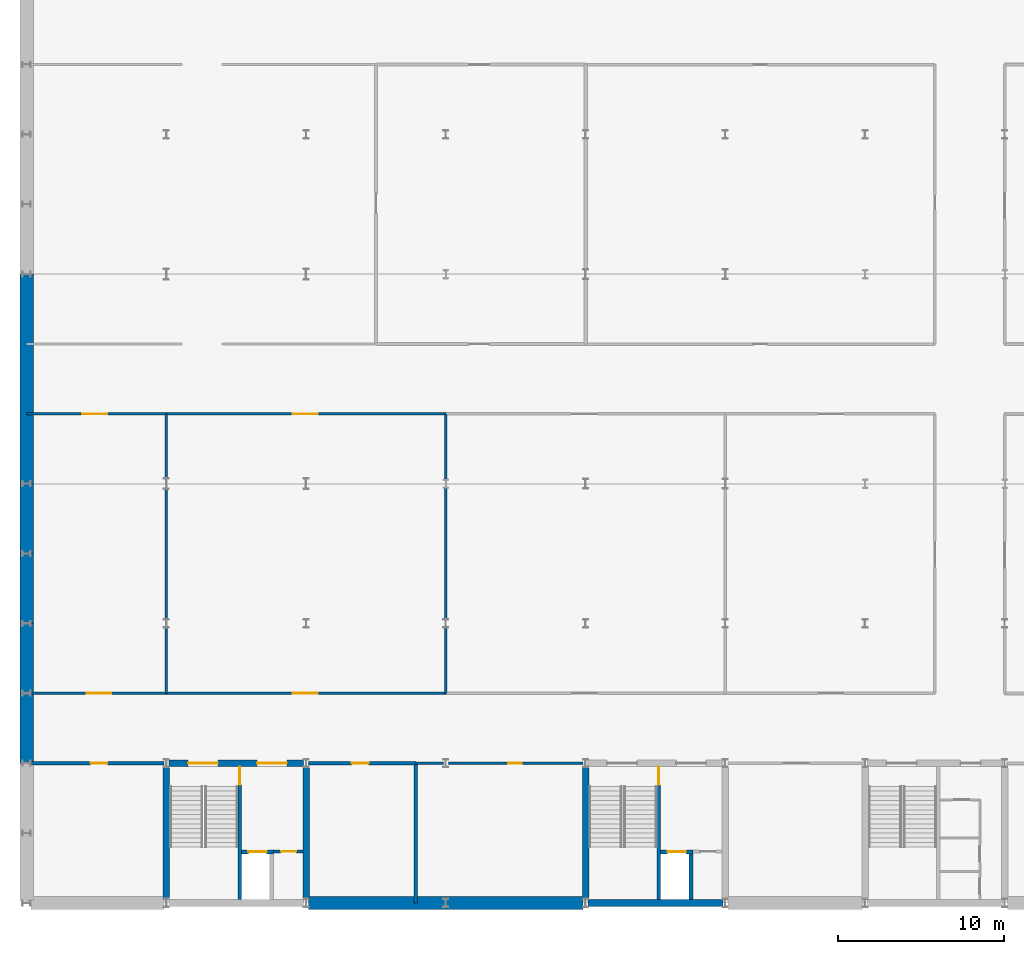
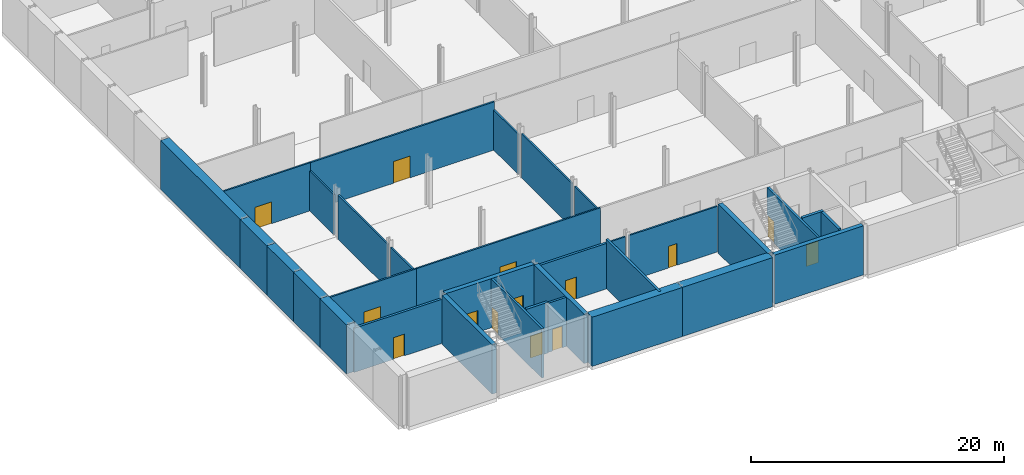
# One storey, part 10 of 20: 33 walls, 14 doors, 14 openings.
"""IFC4 building model written with IfcOpenShell, lengths in metres."""

from ifc_helpers import new_model, si_unit, direction, frame, frame_2d, origin, place, context, subcontext, project, spatial, rectangle, extrude, material, layer, layer_set, type_object, element, fill, save


model = new_model("IFC4")

# Units and contexts
model_context = context("Model", 3, precision=1e-05, world=origin(), true_north=direction((0.0, 1.0)))
body_context = subcontext(model_context, "Body", "Model", "MODEL_VIEW")
ifc_project = project(units=[si_unit("LENGTHUNIT", "METRE"), si_unit("AREAUNIT", "SQUARE_METRE"), si_unit("VOLUMEUNIT", "CUBIC_METRE"), si_unit("PLANEANGLEUNIT", "RADIAN"), si_unit("MASSUNIT", "GRAM", prefix="KILO")], contexts=[model_context])

# Site, building, storey
site_placement = place(None, origin())
site = spatial("IfcSite", under=ifc_project, at=site_placement, CompositionType="ELEMENT")
building_placement = place(site_placement, origin())
building = spatial("IfcBuilding", under=site, at=building_placement, Name="Galleria Vessillo Department Store", CompositionType="ELEMENT")
storey_placement = place(building_placement, frame((0.0, 0.0, -4.89990234375)))
storey = spatial("IfcBuildingStorey", under=building, at=storey_placement, Name="B1", CompositionType="ELEMENT", Elevation=-4.89990234375)

# Walls
ifc_material_1 = material(Name="Concrete C32/40 reinforced", Category="concrete")
ifc_layer_1 = layer(ifc_material_1, 0.800048828125)
ifc_layer_set_1 = layer_set([ifc_layer_1], Name="Concrete C32/40 reinforced")
wall_type_1 = type_object("IfcWallType", Name="Diaphragm wall 800 mm", PredefinedType="SOLIDWALL", material=ifc_layer_set_1)
wall_1_placement = place(storey_placement, frame((16.949951171875, 0.0, 0.0), z_axis=(0.0, 0.0, 1.0), x_axis=(1.0, 0.0, 0.0)))
element("IfcWall", 1, at=wall_1_placement, inside=storey, type_object=wall_type_1, Name="S-BW-S-B1-02", PredefinedType="SOLIDWALL", context=body_context, shape_type="SweptSolid", body=[
    extrude(rectangle(XDim=8.25, YDim=0.800048828125, at=frame_2d((4.125, 0.0))), origin(), (0.0, 0.0, 1.0), 4.75),
])
wall_2_placement = place(storey_placement, frame((25.199951171875, 0.0, 0.0), z_axis=(0.0, 0.0, 1.0), x_axis=(1.0, 0.0, 0.0)))
element("IfcWall", 2, at=wall_2_placement, inside=storey, type_object=wall_type_1, Name="S-BW-S-B1-03", PredefinedType="SOLIDWALL", context=body_context, shape_type="SweptSolid", body=[
    extrude(rectangle(XDim=8.250244140625, YDim=0.800048828125, at=frame_2d((4.125, 0.0))), origin(), (0.0, 0.0, 1.0), 4.75),
])
wall_3_placement = place(storey_placement, frame((0.0, 8.39990234375, 0.0), z_axis=(0.0, 0.0, 1.0), x_axis=(0.0, 1.0, 0.0)))
element("IfcWall", 3, at=wall_3_placement, inside=storey, type_object=wall_type_1, Name="S-BW-W-B1-03", PredefinedType="SOLIDWALL", context=body_context, shape_type="SweptSolid", body=[
    extrude(rectangle(XDim=4.2001953125, YDim=0.800048828125, at=frame_2d((2.10009765625, 0.0))), origin(), (0.0, 0.0, 1.0), 4.75),
])
for number, where, z_axis, x_axis, name in (
    (4, (0.0, 12.60009765625, 0.0), (0.0, 0.0, 1.0), (0.0, 1.0, 0.0), "S-BW-W-B1-04"),
    (5, (0.0, 16.800048828125, 0.0), (0.0, 0.0, 1.0), (0.0, 1.0, 0.0), "S-BW-W-B1-05"),
    (6, (0.0, 21.0, 0.0), (0.0, 0.0, 1.0), (0.0, 1.0, 0.0), "S-BW-W-B1-06"),
):
    element("IfcWall", number, at=place(storey_placement, frame(where, z_axis=z_axis, x_axis=x_axis)), inside=storey, type_object=wall_type_1, Name=name, PredefinedType="SOLIDWALL", context=body_context, shape_type="SweptSolid", body=[
        extrude(rectangle(XDim=4.199951171875, YDim=0.800048828125, at=frame_2d((2.10009765625, 0.0))), origin(), (0.0, 0.0, 1.0), 4.75),
    ])
wall_4_placement = place(storey_placement, frame((0.0, 25.199951171875, 0.0), z_axis=(0.0, 0.0, 1.0), x_axis=(0.0, 1.0, 0.0)))
element("IfcWall", 7, at=wall_4_placement, inside=storey, type_object=wall_type_1, Name="S-BW-W-B1-07", PredefinedType="SOLIDWALL", context=body_context, shape_type="SweptSolid", body=[
    extrude(rectangle(XDim=12.60009765625, YDim=0.800048828125, at=frame_2d((6.300048828125, 0.0))), origin(), (0.0, 0.0, 1.0), 4.75),
])

# Wall, opening, door
ifc_material_2 = material(Name="Solid clay block masonry", Category="masonry")
ifc_layer_2 = layer(ifc_material_2, 0.25)
ifc_layer_set_2 = layer_set([ifc_layer_2], Name="Solid clay block masonry")
wall_type_2 = type_object("IfcWallType", Name="Lift shaft wall 250 mm", PredefinedType="SOLIDWALL", material=ifc_layer_set_2)
wall_5_placement = place(storey_placement, frame((12.89990234375, 3.074951171875, 0.0), z_axis=(0.0, 0.0, 1.0), x_axis=(1.0, 0.0, 0.0)))
wall_5 = element("IfcWall", 8, at=wall_5_placement, inside=storey, type_object=wall_type_2, Name="Lift shaft wall LP1 landing side B1", PredefinedType="SOLIDWALL", context=body_context, shape_type="SweptSolid", body=[
    extrude(rectangle(XDim=1.9501953125, YDim=0.25, at=frame_2d((0.97509765625, 0.0))), origin(), (0.0, 0.0, 1.0), 4.89990234375),
])
opening_1_placement = place(wall_5_placement, frame((0.425048828125, 0.0, 0.0)))
opening_1 = element("IfcOpeningElement", 9, at=opening_1_placement, cuts=wall_5, Name="Opening LD002", PredefinedType="OPENING", context=body_context, shape_type="SweptSolid", body=[
    extrude(rectangle(XDim=1.10009765625, YDim=2.10009765625, at=frame_2d((0.550048828125, 1.050048828125))), frame((0.0, 0.135009765625, 0.0), z_axis=(0.0, -1.0, 0.0), x_axis=(1.0, 0.0, 0.0)), (0.0, 0.0, 1.0), 0.27001953125),
])
ifc_material_3 = material(Name="Stainless steel lift door panel", Category="steel")
door_type_1 = type_object("IfcDoorType", Name="Lift landing door LD110 sliding 1100 x 2100", OperationType="SLIDING_TO_LEFT", PredefinedType="DOOR", material=ifc_material_3)
door_1_placement = place(opening_1_placement, origin())
door_1 = element("IfcDoor", 10, at=door_1_placement, inside=storey, type_object=door_type_1, Name="Lift landing door LP1 B1", OperationType="SLIDING_TO_LEFT", OverallHeight=2.10009765625, OverallWidth=1.10009765625, PredefinedType="DOOR", context=body_context, shape_type="SweptSolid", body=[
    extrude(rectangle(XDim=1.10009765625, YDim=2.10009765625, at=frame_2d((0.550048828125, 1.050048828125))), frame((0.0, 0.02490234375, 0.0), z_axis=(0.0, -1.0, 0.0), x_axis=(1.0, 0.0, 0.0)), (0.0, 0.0, 1.0), 0.050048828125),
])
fill(opening_1, door_1)

wall_6_placement = place(storey_placement, frame((38.10009765625, 3.074951171875, 0.0), z_axis=(0.0, 0.0, 1.0), x_axis=(1.0, 0.0, 0.0)))
wall_6 = element("IfcWall", 11, at=wall_6_placement, inside=storey, type_object=wall_type_2, Name="Lift shaft wall LP3 landing side B1", PredefinedType="SOLIDWALL", context=body_context, shape_type="SweptSolid", body=[
    extrude(rectangle(XDim=1.949951171875, YDim=0.25, at=frame_2d((0.97509765625, 0.0))), origin(), (0.0, 0.0, 1.0), 4.89990234375),
])
opening_2_placement = place(wall_6_placement, frame((0.4248046875, 0.0, 0.0)))
opening_2 = element("IfcOpeningElement", 12, at=opening_2_placement, cuts=wall_6, Name="Opening LD018", PredefinedType="OPENING", context=body_context, shape_type="SweptSolid", body=[
    extrude(rectangle(XDim=1.10009765625, YDim=2.10009765625, at=frame_2d((0.550048828125, 1.050048828125))), frame((0.0, 0.135009765625, 0.0), z_axis=(0.0, -1.0, 0.0), x_axis=(1.0, 0.0, 0.0)), (0.0, 0.0, 1.0), 0.27001953125),
])
door_2_placement = place(opening_2_placement, origin())
door_2 = element("IfcDoor", 13, at=door_2_placement, inside=storey, type_object=door_type_1, Name="Lift landing door LP3 B1", OperationType="SLIDING_TO_LEFT", OverallHeight=2.10009765625, OverallWidth=1.10009765625, PredefinedType="DOOR", context=body_context, shape_type="SweptSolid", body=[
    extrude(rectangle(XDim=1.10009765625, YDim=2.10009765625, at=frame_2d((0.550048828125, 1.050048828125))), frame((0.0, 0.02490234375, 0.0), z_axis=(0.0, -1.0, 0.0), x_axis=(1.0, 0.0, 0.0)), (0.0, 0.0, 1.0), 0.050048828125),
])
fill(opening_2, door_2)

# Wall
wall_7_placement = place(storey_placement, frame((39.925048828125, 0.199951171875, 0.0), z_axis=(0.0, 0.0, 1.0), x_axis=(0.0, 1.0, 0.0)))
element("IfcWall", 14, at=wall_7_placement, inside=storey, type_object=wall_type_2, Name="Lift shaft wall LP3 B1", PredefinedType="SOLIDWALL", context=body_context, shape_type="SweptSolid", body=[
    extrude(rectangle(XDim=2.75, YDim=0.25, at=frame_2d((1.375, 0.0))), origin(), (0.0, 0.0, 1.0), 4.89990234375),
])

# Wall, openings, doors
ifc_material_4 = material(Name="Concrete C32/40 reinforced", Category="concrete")
ifc_layer_3 = layer(ifc_material_4, 0.39990234375)
ifc_layer_set_3 = layer_set([ifc_layer_3], Name="Concrete C32/40 reinforced")
wall_type_3 = type_object("IfcWallType", Name="Reinforced concrete core wall 400 mm", PredefinedType="SHEAR", material=ifc_layer_set_3)
wall_8_placement = place(storey_placement, frame((8.5498046875, 8.39990234375, 0.0), z_axis=(0.0, 0.0, 1.0), x_axis=(1.0, 0.0, 0.0)))
wall_8 = element("IfcWall", 15, at=wall_8_placement, inside=storey, type_object=wall_type_3, Name="S-CW-PC-SW-INTERIOR-B1", PredefinedType="SHEAR", context=body_context, shape_type="SweptSolid", body=[
    extrude(rectangle(XDim=8.100341796875, YDim=0.39990234375, at=frame_2d((4.05029296875, 0.0))), origin(), (0.0, 0.0, 1.0), 4.75),
])
opening_3_placement = place(wall_8_placement, frame((1.150146484375, 0.0, 0.0)))
opening_3 = element("IfcOpeningElement", 16, at=opening_3_placement, cuts=wall_8, Name="Opening D5007", PredefinedType="OPENING", context=body_context, shape_type="SweptSolid", body=[
    extrude(rectangle(XDim=1.800048828125, YDim=2.10009765625, at=frame_2d((0.89990234375, 1.050048828125))), frame((0.0, 0.2099609375, 0.0), z_axis=(0.0, -1.0, 0.0), x_axis=(1.0, 0.0, 0.0)), (0.0, 0.0, 1.0), 0.419921875),
])
opening_4_placement = place(wall_8_placement, frame((5.300048828125, 0.0, 0.0)))
opening_4 = element("IfcOpeningElement", 17, at=opening_4_placement, cuts=wall_8, Name="Opening D5008", PredefinedType="OPENING", context=body_context, shape_type="SweptSolid", body=[
    extrude(rectangle(XDim=1.800048828125, YDim=2.10009765625, at=frame_2d((0.89990234375, 1.050048828125))), frame((0.0, 0.2099609375, 0.0), z_axis=(0.0, -1.0, 0.0), x_axis=(1.0, 0.0, 0.0)), (0.0, 0.0, 1.0), 0.419921875),
])
ifc_material_5 = material(Name="Fire-rated steel door leaf", Category="steel")
door_type_2 = type_object("IfcDoorType", Name="Door D180F double leaf 1800 x 2100", OperationType="DOUBLE_DOOR_SINGLE_SWING", PredefinedType="DOOR", material=ifc_material_5)
door_3_placement = place(opening_3_placement, frame((1.800048828125, 0.0, 0.0), z_axis=(0.0, 0.0, 1.0), x_axis=(-1.0, 0.0, 0.0)))
door_3 = element("IfcDoor", 18, at=door_3_placement, inside=storey, type_object=door_type_2, Name="Lobby door PC-SW-ST-FLOOR B1", OperationType="DOUBLE_DOOR_SINGLE_SWING", OverallHeight=2.10009765625, OverallWidth=1.800048828125, PredefinedType="DOOR", context=body_context, shape_type="SweptSolid", body=[
    extrude(rectangle(XDim=1.800048828125, YDim=2.10009765625, at=frame_2d((0.89990234375, 1.050048828125))), frame((0.0, 0.02490234375, 0.0), z_axis=(0.0, -1.0, 0.0), x_axis=(1.0, 0.0, 0.0)), (0.0, 0.0, 1.0), 0.050048828125),
])
fill(opening_3, door_3)
door_4_placement = place(opening_4_placement, origin())
door_4 = element("IfcDoor", 19, at=door_4_placement, inside=storey, type_object=door_type_2, Name="Lobby door PC-SW-LOBBY-FLOOR B1", OperationType="DOUBLE_DOOR_SINGLE_SWING", OverallHeight=2.10009765625, OverallWidth=1.800048828125, PredefinedType="DOOR", context=body_context, shape_type="SweptSolid", body=[
    extrude(rectangle(XDim=1.800048828125, YDim=2.10009765625, at=frame_2d((0.89990234375, 1.050048828125))), frame((0.0, 0.02490234375, 0.0), z_axis=(0.0, -1.0, 0.0), x_axis=(1.0, 0.0, 0.0)), (0.0, 0.0, 1.0), 0.050048828125),
])
fill(opening_4, door_4)

# Walls
for number, where, z_axis, x_axis, name in (
    (20, (16.800048828125, 0.25, 0.0), (0.0, 0.0, 1.0), (0.0, 1.0, 0.0), "S-CW-PC-SW-EAST-B1"),
    (21, (33.60009765625, 0.25, 0.0), (0.0, 0.0, 1.0), (0.0, 1.0, 0.0), "S-CW-PC-SM-WEST-B1"),
):
    element("IfcWall", number, at=place(storey_placement, frame(where, z_axis=z_axis, x_axis=x_axis)), inside=storey, type_object=wall_type_3, Name=name, PredefinedType="SHEAR", context=body_context, shape_type="SweptSolid", body=[
        extrude(rectangle(XDim=7.89990234375, YDim=0.39990234375, at=frame_2d((3.949951171875, 0.0))), origin(), (0.0, 0.0, 1.0), 4.75),
    ])
ifc_material_6 = material(Name="Concrete C32/40 reinforced", Category="concrete")
ifc_layer_4 = layer(ifc_material_6, 0.39990234375)
ifc_layer_set_4 = layer_set([ifc_layer_4], Name="Concrete C32/40 reinforced")
wall_type_4 = type_object("IfcWallType", Name="Reinforced concrete core wall 400 mm, external", PredefinedType="SHEAR", material=ifc_layer_set_4)
wall_9_placement = place(storey_placement, frame((8.39990234375, 0.25, 0.0), z_axis=(0.0, 0.0, 1.0), x_axis=(0.0, 1.0, 0.0)))
element("IfcWall", 22, at=wall_9_placement, inside=storey, type_object=wall_type_4, Name="S-CW-PC-SW-WEST-B1", PredefinedType="SHEAR", context=body_context, shape_type="SweptSolid", body=[
    extrude(rectangle(XDim=7.89990234375, YDim=0.39990234375, at=frame_2d((3.949951171875, 0.0))), origin(), (0.0, 0.0, 1.0), 4.75),
])
wall_10_placement = place(storey_placement, frame((33.75, 0.0, 0.0), z_axis=(0.0, 0.0, 1.0), x_axis=(1.0, 0.0, 0.0)))
element("IfcWall", 23, at=wall_10_placement, inside=storey, type_object=wall_type_4, Name="S-CW-PC-SM-PARTY-B1", PredefinedType="SHEAR", context=body_context, shape_type="SweptSolid", body=[
    extrude(rectangle(XDim=8.10009765625, YDim=0.39990234375, at=frame_2d((4.050048828125, 0.0))), origin(), (0.0, 0.0, 1.0), 4.75),
])

# Wall, opening, door
ifc_material_7 = material(Name="Concrete C32/40 reinforced", Category="concrete")
ifc_layer_5 = layer(ifc_material_7, 0.199951171875)
ifc_layer_set_5 = layer_set([ifc_layer_5], Name="Concrete C32/40 reinforced")
wall_type_5 = type_object("IfcWallType", Name="Reinforced concrete stair enclosure wall 200 mm", PredefinedType="SHEAR", material=ifc_layer_set_5)
wall_11_placement = place(storey_placement, frame((12.7998046875, 0.199951171875, 0.0), z_axis=(0.0, 0.0, 1.0), x_axis=(0.0, 1.0, 0.0)))
wall_11 = element("IfcWall", 24, at=wall_11_placement, inside=storey, type_object=wall_type_5, Name="Stair enclosure wall PC-SW B1", PredefinedType="SHEAR", context=body_context, shape_type="SweptSolid", body=[
    extrude(rectangle(XDim=8.0, YDim=0.199951171875, at=frame_2d((4.0, 0.0))), origin(), (0.0, 0.0, 1.0), 4.75),
])
opening_5_placement = place(wall_11_placement, frame((6.89990234375, 0.0, 0.0)))
opening_5 = element("IfcOpeningElement", 25, at=opening_5_placement, cuts=wall_11, Name="Opening D5005", PredefinedType="OPENING", context=body_context, shape_type="SweptSolid", body=[
    extrude(rectangle(XDim=1.11009765625, YDim=2.10009765625, at=frame_2d((0.554931640625, 1.050048828125))), frame((0.0, 0.10986328125, 0.0), z_axis=(0.0, -1.0, 0.0), x_axis=(1.0, 0.0, 0.0)), (0.0, 0.0, 1.0), 0.219970703125),
])
ifc_material_8 = material(Name="Fire-rated steel door leaf", Category="steel")
door_type_3 = type_object("IfcDoorType", Name="Door D110F stair door 1100 x 2100", OperationType="SINGLE_SWING_LEFT", PredefinedType="DOOR", material=ifc_material_8)
door_5_placement = place(opening_5_placement, origin())
door_5 = element("IfcDoor", 26, at=door_5_placement, inside=storey, type_object=door_type_3, Name="Stair door PC-SW-ST-LOBBY B1", OperationType="SINGLE_SWING_RIGHT", OverallHeight=2.10009765625, OverallWidth=1.10009765625, PredefinedType="DOOR", context=body_context, shape_type="SweptSolid", body=[
    extrude(rectangle(XDim=1.10009765625, YDim=2.10009765625, at=frame_2d((0.550048828125, 1.050048828125))), frame((0.0, 0.02490234375, 0.0), z_axis=(0.0, -1.0, 0.0), x_axis=(1.0, 0.0, 0.0)), (0.0, 0.0, 1.0), 0.050048828125),
])
fill(opening_5, door_5)

wall_12_placement = place(storey_placement, frame((38.0, 0.199951171875, 0.0), z_axis=(0.0, 0.0, 1.0), x_axis=(0.0, 1.0, 0.0)))
wall_12 = element("IfcWall", 27, at=wall_12_placement, inside=storey, type_object=wall_type_5, Name="Stair enclosure wall PC-SM B1", PredefinedType="SHEAR", context=body_context, shape_type="SweptSolid", body=[
    extrude(rectangle(XDim=8.0, YDim=0.199951171875, at=frame_2d((4.0, 0.0))), origin(), (0.0, 0.0, 1.0), 4.75),
])
opening_6_placement = place(wall_12_placement, frame((6.89990234375, 0.0, 0.0)))
opening_6 = element("IfcOpeningElement", 28, at=opening_6_placement, cuts=wall_12, Name="Opening D5069", PredefinedType="OPENING", context=body_context, shape_type="SweptSolid", body=[
    extrude(rectangle(XDim=1.11009765625, YDim=2.10009765625, at=frame_2d((0.554931640625, 1.050048828125))), frame((0.0, 0.10986328125, 0.0), z_axis=(0.0, -1.0, 0.0), x_axis=(1.0, 0.0, 0.0)), (0.0, 0.0, 1.0), 0.219970703125),
])
door_6_placement = place(opening_6_placement, origin())
door_6 = element("IfcDoor", 29, at=door_6_placement, inside=storey, type_object=door_type_3, Name="Stair door PC-SM-ST-LOBBY B1", OperationType="SINGLE_SWING_RIGHT", OverallHeight=2.10009765625, OverallWidth=1.10009765625, PredefinedType="DOOR", context=body_context, shape_type="SweptSolid", body=[
    extrude(rectangle(XDim=1.10009765625, YDim=2.10009765625, at=frame_2d((0.550048828125, 1.050048828125))), frame((0.0, 0.02490234375, 0.0), z_axis=(0.0, -1.0, 0.0), x_axis=(1.0, 0.0, 0.0)), (0.0, 0.0, 1.0), 0.050048828125),
])
fill(opening_6, door_6)

ifc_material_9 = material(Name="Hollow clay block masonry", Category="masonry")
ifc_layer_6 = layer(ifc_material_9, 0.199951171875)
ifc_layer_set_6 = layer_set([ifc_layer_6], Name="Hollow clay block masonry")
wall_type_6 = type_object("IfcWallType", Name="Riser and service room wall 200 mm", PredefinedType="PARTITIONING", material=ifc_layer_set_6)
wall_13_placement = place(storey_placement, frame((14.85009765625, 3.099853515625, 0.0), z_axis=(0.0, 0.0, 1.0), x_axis=(1.0, 0.0, 0.0)))
wall_13 = element("IfcWall", 30, at=wall_13_placement, inside=storey, type_object=wall_type_6, Name="Riser wall PC-SW-RISER B1", PredefinedType="PARTITIONING", context=body_context, shape_type="SweptSolid", body=[
    extrude(rectangle(XDim=1.75, YDim=0.199951171875, at=frame_2d((0.875, 0.0))), origin(), (0.0, 0.0, 1.0), 4.75),
])
opening_7_placement = place(wall_13_placement, frame((0.449951171875, 0.0, 0.0)))
opening_7 = element("IfcOpeningElement", 31, at=opening_7_placement, cuts=wall_13, Name="Opening D5006", PredefinedType="OPENING", context=body_context, shape_type="SweptSolid", body=[
    extrude(rectangle(XDim=0.89990234375, YDim=2.10009765625, at=frame_2d((0.449951171875, 1.050048828125))), frame((0.0, 0.10986328125, 0.0), z_axis=(0.0, -1.0, 0.0), x_axis=(1.0, 0.0, 0.0)), (0.0, 0.0, 1.0), 0.219970703125),
])
ifc_material_10 = material(Name="Fire-rated steel door leaf", Category="steel")
door_type_4 = type_object("IfcDoorType", Name="Door DR90 riser access 900 x 2100", OperationType="SINGLE_SWING_LEFT", PredefinedType="DOOR", material=ifc_material_10)
door_7_placement = place(opening_7_placement, frame((0.89990234375, 0.0, 0.0), z_axis=(0.0, 0.0, 1.0), x_axis=(-1.0, 0.0, 0.0)))
door_7 = element("IfcDoor", 32, at=door_7_placement, inside=storey, type_object=door_type_4, Name="Riser door PC-SW-RISER-D B1", OperationType="SINGLE_SWING_LEFT", OverallHeight=2.10009765625, OverallWidth=0.89990234375, PredefinedType="DOOR", context=body_context, shape_type="SweptSolid", body=[
    extrude(rectangle(XDim=0.89990234375, YDim=2.10009765625, at=frame_2d((0.449951171875, 1.050048828125))), frame((0.0, 0.02490234375, 0.0), z_axis=(0.0, -1.0, 0.0), x_axis=(1.0, 0.0, 0.0)), (0.0, 0.0, 1.0), 0.050048828125),
])
fill(opening_7, door_7)

ifc_material_11 = material(Name="Concrete blockwork", Category="masonry")
ifc_layer_7 = layer(ifc_material_11, 0.215087890625)
ifc_layer_set_7 = layer_set([ifc_layer_7], Name="Concrete blockwork")
wall_type_7 = type_object("IfcWallType", Name="Security room blockwork wall 215 mm", PredefinedType="SOLIDWALL", material=ifc_layer_set_7)
wall_14_placement = place(storey_placement, frame((0.25, 8.39990234375, 0.0), z_axis=(0.0, 0.0, 1.0), x_axis=(1.0, 0.0, 0.0)))
wall_14 = element("IfcWall", 33, at=wall_14_placement, inside=storey, type_object=wall_type_7, Name="Partition wall PT9 on B1 no. 013", PredefinedType="SOLIDWALL", context=body_context, shape_type="SweptSolid", body=[
    extrude(rectangle(XDim=8.0, YDim=0.215087890625, at=frame_2d((4.0, 0.0))), origin(), (0.0, 0.0, 1.0), 4.259765625),
])
opening_8_placement = place(wall_14_placement, frame((3.60009765625, 0.0, 0.0)))
opening_8 = element("IfcOpeningElement", 34, at=opening_8_placement, cuts=wall_14, Name="Opening D2107", PredefinedType="OPENING", context=body_context, shape_type="SweptSolid", body=[
    extrude(rectangle(XDim=1.0, YDim=2.10009765625, at=frame_2d((0.5, 1.050048828125))), frame((0.0, 0.11767578125, 0.0), z_axis=(0.0, -1.0, 0.0), x_axis=(1.0, 0.0, 0.0)), (0.0, 0.0, 1.0), 0.235107421875),
])
ifc_material_12 = material(Name="Steel fire door leaf", Category="steel")
door_type_5 = type_object("IfcDoorType", Name="Fire door 1000 single leaf", OperationType="SINGLE_SWING_LEFT", PredefinedType="DOOR", material=ifc_material_12)
door_8_placement = place(opening_8_placement, frame((1.0, 0.0, 0.0), z_axis=(0.0, 0.0, 1.0), x_axis=(-1.0, 0.0, 0.0)))
door_8 = element("IfcDoor", 35, at=door_8_placement, inside=storey, type_object=door_type_5, Name="Door D2107", OperationType="SINGLE_SWING_RIGHT", OverallHeight=2.10009765625, OverallWidth=1.0, PredefinedType="DOOR", context=body_context, shape_type="SweptSolid", body=[
    extrude(rectangle(XDim=1.0, YDim=2.10009765625, at=frame_2d((0.5, 1.050048828125))), frame((0.0, 0.02490234375, 0.0), z_axis=(0.0, -1.0, 0.0), x_axis=(1.0, 0.0, 0.0)), (0.0, 0.0, 1.0), 0.050048828125),
])
fill(opening_8, door_8)

wall_15_placement = place(storey_placement, frame((16.949951171875, 8.39990234375, 0.0), z_axis=(0.0, 0.0, 1.0), x_axis=(1.0, 0.0, 0.0)))
wall_15 = element("IfcWall", 36, at=wall_15_placement, inside=storey, type_object=wall_type_7, Name="Partition wall PT9 on B1 no. 014", PredefinedType="SOLIDWALL", context=body_context, shape_type="SweptSolid", body=[
    extrude(rectangle(XDim=6.449951171875, YDim=0.215087890625, at=frame_2d((3.22509765625, 0.0))), origin(), (0.0, 0.0, 1.0), 4.39990234375),
])
opening_9_placement = place(wall_15_placement, frame((2.60009765625, 0.0, 0.0)))
opening_9 = element("IfcOpeningElement", 37, at=opening_9_placement, cuts=wall_15, Name="Opening D2108", PredefinedType="OPENING", context=body_context, shape_type="SweptSolid", body=[
    extrude(rectangle(XDim=1.0, YDim=2.10009765625, at=frame_2d((0.5, 1.050048828125))), frame((0.0, 0.11767578125, 0.0), z_axis=(0.0, -1.0, 0.0), x_axis=(1.0, 0.0, 0.0)), (0.0, 0.0, 1.0), 0.235107421875),
])
door_9_placement = place(opening_9_placement, frame((1.0, 0.0, 0.0), z_axis=(0.0, 0.0, 1.0), x_axis=(-1.0, 0.0, 0.0)))
door_9 = element("IfcDoor", 38, at=door_9_placement, inside=storey, type_object=door_type_5, Name="Door D2108", OperationType="SINGLE_SWING_LEFT", OverallHeight=2.10009765625, OverallWidth=1.0, PredefinedType="DOOR", context=body_context, shape_type="SweptSolid", body=[
    extrude(rectangle(XDim=1.0, YDim=2.10009765625, at=frame_2d((0.5, 1.050048828125))), frame((0.0, 0.02490234375, 0.0), z_axis=(0.0, -1.0, 0.0), x_axis=(1.0, 0.0, 0.0)), (0.0, 0.0, 1.0), 0.050048828125),
])
fill(opening_9, door_9)

# Walls
wall_16_placement = place(storey_placement, frame((23.39990234375, 0.0, 0.0), z_axis=(0.0, 0.0, 1.0), x_axis=(0.0, 1.0, 0.0)))
element("IfcWall", 39, at=wall_16_placement, inside=storey, type_object=wall_type_7, Name="Partition wall PT9 on B1 no. 073", PredefinedType="SOLIDWALL", context=body_context, shape_type="SweptSolid", body=[
    extrude(rectangle(XDim=8.39990234375, YDim=0.215087890625, at=frame_2d((4.199951171875, 0.0))), origin(), (0.0, 0.0, 1.0), 4.75),
])
ifc_material_13 = material(Name="Concrete blockwork", Category="masonry")
ifc_layer_8 = layer(ifc_material_13, 0.14990234375)
ifc_layer_set_8 = layer_set([ifc_layer_8], Name="Concrete blockwork")
wall_type_8 = type_object("IfcWallType", Name="Stockroom blockwork wall 150 mm", PredefinedType="SOLIDWALL", material=ifc_layer_set_8)
wall_17_placement = place(storey_placement, frame((23.39990234375, 8.39990234375, 0.0), z_axis=(0.0, 0.0, 1.0), x_axis=(1.0, 0.0, 0.0)))
element("IfcWall", 40, at=wall_17_placement, inside=storey, type_object=wall_type_8, Name="Partition wall PT4 on B1 no. 015", PredefinedType="SOLIDWALL", context=body_context, shape_type="SweptSolid", body=[
    extrude(rectangle(XDim=1.650146484375, YDim=0.14990234375, at=frame_2d((0.8251953125, 0.0))), origin(), (0.0, 0.0, 1.0), 4.39990234375),
])

# Wall, opening, door
wall_18_placement = place(storey_placement, frame((25.349853515625, 8.39990234375, 0.0), z_axis=(0.0, 0.0, 1.0), x_axis=(1.0, 0.0, 0.0)))
wall_18 = element("IfcWall", 41, at=wall_18_placement, inside=storey, type_object=wall_type_8, Name="Partition wall PT4 on B1 no. 016", PredefinedType="SOLIDWALL", context=body_context, shape_type="SweptSolid", body=[
    extrude(rectangle(XDim=8.100341796875, YDim=0.14990234375, at=frame_2d((4.05029296875, 0.0))), origin(), (0.0, 0.0, 1.0), 4.39990234375),
])
opening_10_placement = place(wall_18_placement, frame((3.60009765625, 0.0, 0.0)))
opening_10 = element("IfcOpeningElement", 42, at=opening_10_placement, cuts=wall_18, Name="Opening D2109", PredefinedType="OPENING", context=body_context, shape_type="SweptSolid", body=[
    extrude(rectangle(XDim=0.800048828125, YDim=2.10009765625, at=frame_2d((0.39990234375, 1.050048828125))), frame((0.0, 0.0849609375, 0.0), z_axis=(0.0, -1.0, 0.0), x_axis=(1.0, 0.0, 0.0)), (0.0, 0.0, 1.0), 0.169921875),
])
ifc_material_14 = material(Name="Steel fire door leaf", Category="steel")
door_type_6 = type_object("IfcDoorType", Name="Fire door 800 staff door", OperationType="SINGLE_SWING_LEFT", PredefinedType="DOOR", material=ifc_material_14)
door_10_placement = place(opening_10_placement, origin())
door_10 = element("IfcDoor", 43, at=door_10_placement, inside=storey, type_object=door_type_6, Name="Door D2109", OperationType="SINGLE_SWING_LEFT", OverallHeight=2.10009765625, OverallWidth=0.800048828125, PredefinedType="DOOR", context=body_context, shape_type="SweptSolid", body=[
    extrude(rectangle(XDim=0.800048828125, YDim=2.10009765625, at=frame_2d((0.39990234375, 1.050048828125))), frame((0.0, 0.02490234375, 0.0), z_axis=(0.0, -1.0, 0.0), x_axis=(1.0, 0.0, 0.0)), (0.0, 0.0, 1.0), 0.050048828125),
])
fill(opening_10, door_10)

wall_19_placement = place(storey_placement, frame((0.25, 12.60009765625, 0.0), z_axis=(0.0, 0.0, 1.0), x_axis=(1.0, 0.0, 0.0)))
wall_19 = element("IfcWall", 44, at=wall_19_placement, inside=storey, type_object=wall_type_8, Name="Partition wall PT4 on B1 no. 023", PredefinedType="SOLIDWALL", context=body_context, shape_type="SweptSolid", body=[
    extrude(rectangle(XDim=8.14990234375, YDim=0.14990234375, at=frame_2d((4.074951171875, 0.0))), origin(), (0.0, 0.0, 1.0), 4.599853515625),
])
opening_11_placement = place(wall_19_placement, frame((3.35009765625, 0.0, 0.0)))
opening_11 = element("IfcOpeningElement", 45, at=opening_11_placement, cuts=wall_19, Name="Opening D2115", PredefinedType="OPENING", context=body_context, shape_type="SweptSolid", body=[
    extrude(rectangle(XDim=1.5, YDim=2.10009765625, at=frame_2d((0.75, 1.050048828125))), frame((0.0, 0.0849609375, 0.0), z_axis=(0.0, -1.0, 0.0), x_axis=(1.0, 0.0, 0.0)), (0.0, 0.0, 1.0), 0.169921875),
])
ifc_material_15 = material(Name="Steel fire door leaf", Category="steel")
door_type_7 = type_object("IfcDoorType", Name="Stockroom fire door 1500 double leaf", OperationType="DOUBLE_DOOR_SINGLE_SWING", PredefinedType="DOOR", material=ifc_material_15)
door_11_placement = place(opening_11_placement, origin())
door_11 = element("IfcDoor", 46, at=door_11_placement, inside=storey, type_object=door_type_7, Name="Door D2115", OperationType="DOUBLE_DOOR_SINGLE_SWING", OverallHeight=2.10009765625, OverallWidth=1.5, PredefinedType="DOOR", context=body_context, shape_type="SweptSolid", body=[
    extrude(rectangle(XDim=1.5, YDim=2.10009765625, at=frame_2d((0.75, 1.050048828125))), frame((0.0, 0.02490234375, 0.0), z_axis=(0.0, -1.0, 0.0), x_axis=(1.0, 0.0, 0.0)), (0.0, 0.0, 1.0), 0.050048828125),
])
fill(opening_11, door_11)

wall_20_placement = place(storey_placement, frame((8.39990234375, 12.60009765625, 0.0), z_axis=(0.0, 0.0, 1.0), x_axis=(1.0, 0.0, 0.0)))
wall_20 = element("IfcWall", 47, at=wall_20_placement, inside=storey, type_object=wall_type_8, Name="Partition wall PT4 on B1 no. 024", PredefinedType="SOLIDWALL", context=body_context, shape_type="SweptSolid", body=[
    extrude(rectangle(XDim=16.800048828125, YDim=0.14990234375, at=frame_2d((8.39990234375, 0.0))), origin(), (0.0, 0.0, 1.0), 4.599853515625),
])
opening_12_placement = place(wall_20_placement, frame((7.60009765625, 0.0, 0.0)))
opening_12 = element("IfcOpeningElement", 48, at=opening_12_placement, cuts=wall_20, Name="Opening D2116", PredefinedType="OPENING", context=body_context, shape_type="SweptSolid", body=[
    extrude(rectangle(XDim=1.5, YDim=2.10009765625, at=frame_2d((0.75, 1.050048828125))), frame((0.0, 0.0849609375, 0.0), z_axis=(0.0, -1.0, 0.0), x_axis=(1.0, 0.0, 0.0)), (0.0, 0.0, 1.0), 0.169921875),
])
door_12_placement = place(opening_12_placement, origin())
door_12 = element("IfcDoor", 49, at=door_12_placement, inside=storey, type_object=door_type_7, Name="Door D2116", OperationType="DOUBLE_DOOR_SINGLE_SWING", OverallHeight=2.10009765625, OverallWidth=1.5, PredefinedType="DOOR", context=body_context, shape_type="SweptSolid", body=[
    extrude(rectangle(XDim=1.5, YDim=2.10009765625, at=frame_2d((0.75, 1.050048828125))), frame((0.0, 0.02490234375, 0.0), z_axis=(0.0, -1.0, 0.0), x_axis=(1.0, 0.0, 0.0)), (0.0, 0.0, 1.0), 0.050048828125),
])
fill(opening_12, door_12)

wall_21_placement = place(storey_placement, frame((0.0, 29.39990234375, 0.0), z_axis=(0.0, 0.0, 1.0), x_axis=(1.0, 0.0, 0.0)))
wall_21 = element("IfcWall", 50, at=wall_21_placement, inside=storey, type_object=wall_type_8, Name="Partition wall PT4 on B1 no. 031", PredefinedType="SOLIDWALL", context=body_context, shape_type="SweptSolid", body=[
    extrude(rectangle(XDim=8.39990234375, YDim=0.14990234375, at=frame_2d((4.199951171875, 0.0))), origin(), (0.0, 0.0, 1.0), 4.64990234375),
])
opening_13_placement = place(wall_21_placement, frame((3.35009765625, 0.0, 0.0)))
opening_13 = element("IfcOpeningElement", 51, at=opening_13_placement, cuts=wall_21, Name="Opening D2123", PredefinedType="OPENING", context=body_context, shape_type="SweptSolid", body=[
    extrude(rectangle(XDim=1.5, YDim=2.10009765625, at=frame_2d((0.75, 1.050048828125))), frame((0.0, 0.0849609375, 0.0), z_axis=(0.0, -1.0, 0.0), x_axis=(1.0, 0.0, 0.0)), (0.0, 0.0, 1.0), 0.169921875),
])
door_13_placement = place(opening_13_placement, frame((1.5, 0.0, 0.0), z_axis=(0.0, 0.0, 1.0), x_axis=(-1.0, 0.0, 0.0)))
door_13 = element("IfcDoor", 52, at=door_13_placement, inside=storey, type_object=door_type_7, Name="Door D2123", OperationType="DOUBLE_DOOR_SINGLE_SWING", OverallHeight=2.10009765625, OverallWidth=1.5, PredefinedType="DOOR", context=body_context, shape_type="SweptSolid", body=[
    extrude(rectangle(XDim=1.5, YDim=2.10009765625, at=frame_2d((0.75, 1.050048828125))), frame((0.0, 0.02490234375, 0.0), z_axis=(0.0, -1.0, 0.0), x_axis=(1.0, 0.0, 0.0)), (0.0, 0.0, 1.0), 0.050048828125),
])
fill(opening_13, door_13)

wall_22_placement = place(storey_placement, frame((8.39990234375, 29.39990234375, 0.0), z_axis=(0.0, 0.0, 1.0), x_axis=(1.0, 0.0, 0.0)))
wall_22 = element("IfcWall", 53, at=wall_22_placement, inside=storey, type_object=wall_type_8, Name="Partition wall PT4 on B1 no. 032", PredefinedType="SOLIDWALL", context=body_context, shape_type="SweptSolid", body=[
    extrude(rectangle(XDim=16.800048828125, YDim=0.14990234375, at=frame_2d((8.39990234375, 0.0))), origin(), (0.0, 0.0, 1.0), 4.64990234375),
])
opening_14_placement = place(wall_22_placement, frame((7.60009765625, 0.0, 0.0)))
opening_14 = element("IfcOpeningElement", 54, at=opening_14_placement, cuts=wall_22, Name="Opening D2124", PredefinedType="OPENING", context=body_context, shape_type="SweptSolid", body=[
    extrude(rectangle(XDim=1.5, YDim=2.10009765625, at=frame_2d((0.75, 1.050048828125))), frame((0.0, 0.0849609375, 0.0), z_axis=(0.0, -1.0, 0.0), x_axis=(1.0, 0.0, 0.0)), (0.0, 0.0, 1.0), 0.169921875),
])
door_14_placement = place(opening_14_placement, frame((1.5, 0.0, 0.0), z_axis=(0.0, 0.0, 1.0), x_axis=(-1.0, 0.0, 0.0)))
door_14 = element("IfcDoor", 55, at=door_14_placement, inside=storey, type_object=door_type_7, Name="Door D2124", OperationType="DOUBLE_DOOR_SINGLE_SWING", OverallHeight=2.10009765625, OverallWidth=1.5, PredefinedType="DOOR", context=body_context, shape_type="SweptSolid", body=[
    extrude(rectangle(XDim=1.5, YDim=2.10009765625, at=frame_2d((0.75, 1.050048828125))), frame((0.0, 0.02490234375, 0.0), z_axis=(0.0, -1.0, 0.0), x_axis=(1.0, 0.0, 0.0)), (0.0, 0.0, 1.0), 0.050048828125),
])
fill(opening_14, door_14)

# Walls
wall_23_placement = place(storey_placement, frame((8.39990234375, 12.60009765625, 0.0), z_axis=(0.0, 0.0, 1.0), x_axis=(0.0, 1.0, 0.0)))
element("IfcWall", 56, at=wall_23_placement, inside=storey, type_object=wall_type_8, Name="Partition wall PT4 on B1 no. 076", PredefinedType="SOLIDWALL", context=body_context, shape_type="SweptSolid", body=[
    extrude(rectangle(XDim=3.949951171875, YDim=0.14990234375, at=frame_2d((1.97509765625, 0.0))), origin(), (0.0, 0.0, 1.0), 4.259765625),
])
wall_24_placement = place(storey_placement, frame((8.39990234375, 17.050048828125, 0.0), z_axis=(0.0, 0.0, 1.0), x_axis=(0.0, 1.0, 0.0)))
element("IfcWall", 57, at=wall_24_placement, inside=storey, type_object=wall_type_8, Name="Partition wall PT4 on B1 no. 077", PredefinedType="SOLIDWALL", context=body_context, shape_type="SweptSolid", body=[
    extrude(rectangle(XDim=7.81591796875, YDim=0.14990234375, at=frame_2d((3.907958984375, 0.0))), origin(), (0.0, 0.0, 1.0), 4.259765625),
])
wall_25_placement = place(storey_placement, frame((8.39990234375, 25.533935546875, 0.0), z_axis=(0.0, 0.0, 1.0), x_axis=(0.0, 1.0, 0.0)))
element("IfcWall", 58, at=wall_25_placement, inside=storey, type_object=wall_type_8, Name="Partition wall PT4 on B1 no. 078", PredefinedType="SOLIDWALL", context=body_context, shape_type="SweptSolid", body=[
    extrude(rectangle(XDim=3.865966796875, YDim=0.14990234375, at=frame_2d((1.93310546875, 0.0))), origin(), (0.0, 0.0, 1.0), 3.85986328125),
])
wall_26_placement = place(storey_placement, frame((25.199951171875, 12.60009765625, 0.0), z_axis=(0.0, 0.0, 1.0), x_axis=(0.0, 1.0, 0.0)))
element("IfcWall", 59, at=wall_26_placement, inside=storey, type_object=wall_type_8, Name="Partition wall PT4 on B1 no. 079", PredefinedType="SOLIDWALL", context=body_context, shape_type="SweptSolid", body=[
    extrude(rectangle(XDim=3.949951171875, YDim=0.14990234375, at=frame_2d((1.97509765625, 0.0))), origin(), (0.0, 0.0, 1.0), 4.259765625),
])
wall_27_placement = place(storey_placement, frame((25.199951171875, 17.050048828125, 0.0), z_axis=(0.0, 0.0, 1.0), x_axis=(0.0, 1.0, 0.0)))
element("IfcWall", 60, at=wall_27_placement, inside=storey, type_object=wall_type_8, Name="Partition wall PT4 on B1 no. 080", PredefinedType="SOLIDWALL", context=body_context, shape_type="SweptSolid", body=[
    extrude(rectangle(XDim=7.887939453125, YDim=0.14990234375, at=frame_2d((3.94384765625, 0.0))), origin(), (0.0, 0.0, 1.0), 4.259765625),
])
wall_28_placement = place(storey_placement, frame((25.199951171875, 25.4619140625, 0.0), z_axis=(0.0, 0.0, 1.0), x_axis=(0.0, 1.0, 0.0)))
element("IfcWall", 61, at=wall_28_placement, inside=storey, type_object=wall_type_8, Name="Partition wall PT4 on B1 no. 081", PredefinedType="SOLIDWALL", context=body_context, shape_type="SweptSolid", body=[
    extrude(rectangle(XDim=3.93798828125, YDim=0.14990234375, at=frame_2d((1.968994140625, 0.0))), origin(), (0.0, 0.0, 1.0), 3.85986328125),
])

save(model, "model.ifc")
